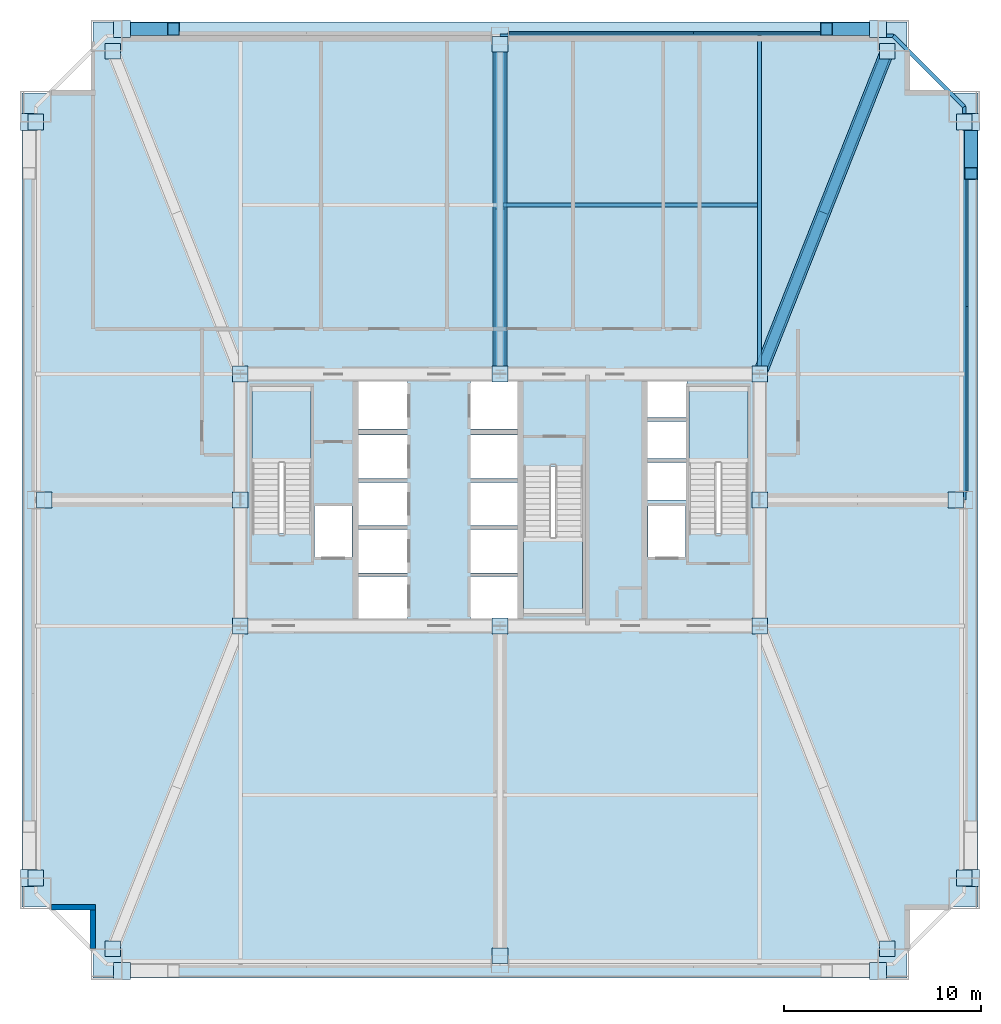
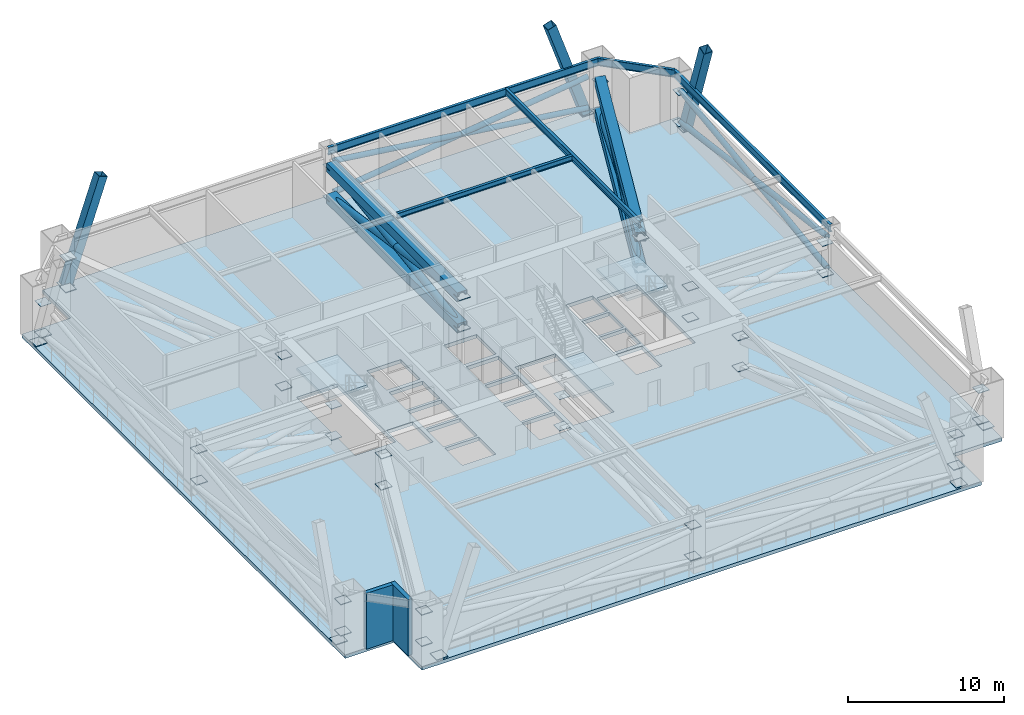
# One storey, part 3 of 10: 48 plates, 15 members, 5 beams, 4 slabs, 2 walls, 3 elements without a shape of their own.
"""IFC4 building model written with IfcOpenShell, lengths in metres."""

from ifc_helpers import new_model, si_unit, direction, frame, frame_2d, origin, origin_2d, place, context, subcontext, project, spatial, polyline, rectangle, hollow_rectangle, hollow_circle, i_section, outline, extrude, source, transform, mapped, material, layer, layer_set, material_profile, profile_set, type_object, element, aggregate, save


model = new_model("IFC4")

# Units and contexts
model_context = context("Model", 3, precision=1e-05, world=origin(), true_north=direction((0.0, 1.0)))
body_context = subcontext(model_context, "Body", "Model", "MODEL_VIEW")
ifc_project = project(units=[si_unit("LENGTHUNIT", "METRE"), si_unit("AREAUNIT", "SQUARE_METRE"), si_unit("VOLUMEUNIT", "CUBIC_METRE"), si_unit("PLANEANGLEUNIT", "RADIAN"), si_unit("MASSUNIT", "GRAM", prefix="KILO"), si_unit("THERMODYNAMICTEMPERATUREUNIT", "KELVIN"), si_unit("POWERUNIT", "WATT")], contexts=[model_context])

# Site, building, storey
site_placement = place(None, origin())
site = spatial("IfcSite", under=ifc_project, at=site_placement, CompositionType="ELEMENT")
building_placement = place(site_placement, origin())
building = spatial("IfcBuilding", under=site, at=building_placement, Name="Yuzanri Waterfront Tower", CompositionType="ELEMENT")
storey_placement = place(building_placement, frame((0.0, 0.0, 129.800048828125)))
storey = spatial("IfcBuildingStorey", under=building, at=storey_placement, Name="L34", CompositionType="ELEMENT", Elevation=129.800048828125)

# Beams
ifc_material_1 = material(Name="Steel Q355B", Category="steel")
ifc_material_profile_1 = material_profile(ifc_material_1, i_section(OverallWidth=0.199951171875, OverallDepth=0.60009765625, WebThickness=0.010986328125, FlangeThickness=0.01708984375, at=origin_2d()), Name="HN 600x200x11x17")
ifc_profile_set_1 = profile_set([ifc_material_profile_1], Name="Steel Q355B")
beam_type_1 = type_object("IfcBeamType", Name="Perimeter Spandrel Q355B HN 600x200", PredefinedType="SPANDREL", material=ifc_profile_set_1)
shared_shape_1 = source(origin(), body_context, "Body", "SweptSolid", [
    extrude(i_section(OverallWidth=0.199951171875, OverallDepth=0.60009765625, WebThickness=0.010986328125, FlangeThickness=0.01708984375, at=origin_2d()), origin(), (0.0, 0.0, 1.0), 5.091064453125),
])
beam_1_placement = place(storey_placement, frame((60.60009765625, 45.800048828125, 4.079833984375), z_axis=(-0.707130757816, 0.707082803744, 0.0), x_axis=(-0.707082803744, -0.707130757816, 0.0)))
element("IfcBeam", 1, at=beam_1_placement, inside=storey, type_object=beam_type_1, Name="L34 Perimeter Spandrel E3-N3", PredefinedType="SPANDREL", context=body_context, shape_type="MappedRepresentation", body=[
    mapped(shared_shape_1, transform((0.0, 0.0, 0.0), scale=1.0)),
])
ifc_material_2 = material(Name="Steel Q355B", Category="steel")
ifc_material_profile_2 = material_profile(ifc_material_2, i_section(OverallWidth=0.199951171875, OverallDepth=0.39990234375, WebThickness=0.008056640625, FlangeThickness=0.012939453125, at=origin_2d()), Name="HN 400x200x8x13")
ifc_profile_set_2 = profile_set([ifc_material_profile_2], Name="Steel Q355B")
beam_type_2 = type_object("IfcBeamType", Name="Floor Joist Q355B HN 400x200", PredefinedType="JOIST", material=ifc_profile_set_2)
shared_shape_2 = source(origin(), body_context, "Body", "SweptSolid", [
    extrude(i_section(OverallWidth=0.199951171875, OverallDepth=0.39990234375, WebThickness=0.008056640625, FlangeThickness=0.012939453125, at=origin_2d()), origin(), (0.0, 0.0, 1.0), 12.9501953125),
])
beam_2_placement = place(storey_placement, frame((37.14990234375, 40.800048828125, 4.179931640625), z_axis=(1.0, 0.0, 0.0), x_axis=(0.0, 1.0, 0.0)))
element("IfcBeam", 2, at=beam_2_placement, inside=storey, type_object=beam_type_2, Name="L34 North Bay Joist E", PredefinedType="JOIST", context=body_context, shape_type="MappedRepresentation", body=[
    mapped(shared_shape_2, transform((0.0, 0.0, 0.0), scale=1.0)),
])
shared_shape_3 = source(origin(), body_context, "Body", "SweptSolid", [
    extrude(i_section(OverallWidth=0.199951171875, OverallDepth=0.60009765625, WebThickness=0.010986328125, FlangeThickness=0.01708984375, at=origin_2d()), origin(), (0.0, 0.0, 1.0), 20.0),
])
for number, where, z_axis, x_axis, name in (
    (3, (60.60009765625, 25.800048828125, 4.079833984375), (0.0, 1.0, 0.0), (-1.0, 0.0, 0.0), "L34 Perimeter Spandrel E2-E3"),
    (4, (57.0, 49.39990234375, 4.079833984375), (-1.0, 0.0, 0.0), (0.0, -1.0, 0.0), "L34 Perimeter Spandrel N3-N2"),
):
    element("IfcBeam", number, at=place(storey_placement, frame(where, z_axis=z_axis, x_axis=x_axis)), inside=storey, type_object=beam_type_1, Name=name, PredefinedType="SPANDREL", context=body_context, shape_type="MappedRepresentation", body=[
        mapped(shared_shape_3, transform((0.0, 0.0, 0.0), scale=1.0)),
    ])
ifc_material_3 = material(Name="Steel Q355B", Category="steel")
ifc_material_profile_3 = material_profile(ifc_material_3, i_section(OverallWidth=0.199951171875, OverallDepth=0.5, WebThickness=0.010009765625, FlangeThickness=0.01611328125, at=origin_2d()), Name="HN 500x200x10x16")
ifc_profile_set_3 = profile_set([ifc_material_profile_3], Name="Steel Q355B")
beam_type_3 = type_object("IfcBeamType", Name="Secondary Floor Beam Q355B HN 500x200", PredefinedType="BEAM", material=ifc_profile_set_3)
shared_shape_4 = source(origin(), body_context, "Body", "SweptSolid", [
    extrude(i_section(OverallWidth=0.199951171875, OverallDepth=0.5, WebThickness=0.010009765625, FlangeThickness=0.01611328125, at=origin_2d()), origin(), (0.0, 0.0, 1.0), 17.199951171875),
])
beam_3_placement = place(storey_placement, frame((50.199951171875, 32.199951171875, 4.1298828125), z_axis=(0.0, 1.0, 0.0), x_axis=(-1.0, 0.0, 0.0)))
element("IfcBeam", 5, at=beam_3_placement, inside=storey, type_object=beam_type_3, Name="L34 North-East Core Line Beam", PredefinedType="BEAM", context=body_context, shape_type="MappedRepresentation", body=[
    mapped(shared_shape_4, transform((0.0, 0.0, 0.0), scale=1.0)),
])

# Members
ifc_material_4 = material(Name="Steel Q420GJC", Category="steel")
ifc_material_profile_4 = material_profile(ifc_material_4, hollow_rectangle(XDim=0.64990234375, YDim=0.64990234375, WallThickness=0.028076171875, at=origin_2d()), Name="RHS 650x650x28")
ifc_profile_set_4 = profile_set([ifc_material_profile_4], Name="Steel Q420GJC")
member_type_1 = type_object("IfcMemberType", Name="Mega Brace Lower Q420GJC RHS 650x650x28", PredefinedType="BRACE", material=ifc_profile_set_4)
shared_shape_5 = source(origin(), body_context, "Body", "SweptSolid", [
    extrude(hollow_rectangle(XDim=0.64990234375, YDim=0.64990234375, WallThickness=0.028076171875, at=origin_2d()), origin(), (0.0, 0.0, 1.0), 8.133544921875),
])
for number, where, z_axis, x_axis, name in (
    (6, (17.780029296875, 49.739990234375, 0.179931640625), (0.32211098158, 0.0, 0.946701914831), (0.0, 1.0, 0.0), "L34-L35 Perimeter Mega-Brace N-L"),
    (7, (56.219970703125, 49.739990234375, 0.179931640625), (-0.32211098158, 0.0, 0.946701914831), (0.0, -1.0, 0.0), "L34-L35 Perimeter Mega-Brace N-R"),
    (8, (60.93994140625, 45.02001953125, 0.179931640625), (0.0, -0.322137883641, 0.946692761102), (1.0, 0.0, 0.0), "L34-L35 Perimeter Mega-Brace E-R"),
):
    element("IfcMember", number, at=place(storey_placement, frame(where, z_axis=z_axis, x_axis=x_axis)), inside=storey, type_object=member_type_1, Name=name, PredefinedType="BRACE", context=body_context, shape_type="MappedRepresentation", body=[
        mapped(shared_shape_5, transform((0.0, 0.0, 0.0), scale=1.0)),
    ])
ifc_material_5 = material(Name="Steel Q420GJC", Category="steel")
ifc_material_profile_5 = material_profile(ifc_material_5, hollow_rectangle(XDim=0.699951171875, YDim=0.699951171875, WallThickness=0.031982421875, at=origin_2d()), Name="RHS 700x700x32")
ifc_profile_set_5 = profile_set([ifc_material_profile_5], Name="Steel Q420GJC")
member_type_2 = type_object("IfcMemberType", Name="Outrigger Chord Q420GJC RHS 700x700x32", PredefinedType="CHORD", material=ifc_profile_set_5)
shared_shape_6 = source(origin(), body_context, "Body", "SweptSolid", [
    extrude(hollow_rectangle(XDim=0.699951171875, YDim=0.699951171875, WallThickness=0.031982421875, at=origin_2d()), origin(), (0.0, 0.0, 1.0), 16.76513671875),
])
for number, where, z_axis, x_axis, name in (
    (9, (37.0, 32.199951171875, 0.719970703125), (0.0, 1.0, 0.0), (-1.0, 0.0, 0.0), "L34 Outrigger Bottom Chord N2"),
    (10, (37.0, 32.199951171875, 3.159912109375), (0.0, 1.0, 0.0), (-1.0, 0.0, 0.0), "L34 Outrigger Top Chord N2"),
):
    element("IfcMember", number, at=place(storey_placement, frame(where, z_axis=z_axis, x_axis=x_axis)), inside=storey, type_object=member_type_2, Name=name, PredefinedType="CHORD", context=body_context, shape_type="MappedRepresentation", body=[
        mapped(shared_shape_6, transform((0.0, 0.0, 0.0), scale=1.0)),
    ])
ifc_material_6 = material(Name="Steel Q420GJC", Category="steel")
ifc_material_profile_6 = material_profile(ifc_material_6, hollow_circle(Radius=0.25390625, WallThickness=0.02001953125, at=origin_2d()), Name="CHS 508x20")
ifc_profile_set_6 = profile_set([ifc_material_profile_6], Name="Steel Q420GJC")
member_type_3 = type_object("IfcMemberType", Name="Outrigger Diagonal Q420GJC CHS 508x20", PredefinedType="BRACE", material=ifc_profile_set_6)
shared_shape_7 = source(origin(), body_context, "Body", "SweptSolid", [
    extrude(hollow_circle(Radius=0.25390625, WallThickness=0.02001953125, at=origin_2d()), origin(), (0.0, 0.0, 1.0), 16.941650390625),
])
for number, where, z_axis, x_axis, name in (
    (11, (37.0, 32.199951171875, 0.719970703125), (0.0, 0.989574866567, 0.144019385707), (-1.0, 0.0, 0.0), "L34 Outrigger Diagonal 1 N2"),
    (12, (37.0, 32.199951171875, 3.159912109375), (0.0, 0.989574866567, -0.144019385707), (-1.0, 0.0, 0.0), "L34 Outrigger Diagonal 2 N2"),
):
    element("IfcMember", number, at=place(storey_placement, frame(where, z_axis=z_axis, x_axis=x_axis)), inside=storey, type_object=member_type_3, Name=name, PredefinedType="BRACE", context=body_context, shape_type="MappedRepresentation", body=[
        mapped(shared_shape_7, transform((0.0, 0.0, 0.0), scale=1.0)),
    ])
shared_shape_8 = source(origin(), body_context, "Body", "SweptSolid", [
    extrude(hollow_rectangle(XDim=0.699951171875, YDim=0.699951171875, WallThickness=0.031982421875, at=origin_2d()), origin(), (0.0, 0.0, 1.0), 17.6513671875),
])
for number, where, z_axis, x_axis, name in (
    (13, (50.199951171875, 32.199951171875, 0.719970703125), (0.36766278386, 0.929959180483, 0.0), (-0.929959180483, 0.36766278386, 0.0), "L34 Outrigger Bottom Chord N3"),
    (14, (50.199951171875, 32.199951171875, 3.159912109375), (0.36766278386, 0.929959180483, 0.0), (-0.929959180483, 0.36766278386, 0.0), "L34 Outrigger Top Chord N3"),
):
    element("IfcMember", number, at=place(storey_placement, frame(where, z_axis=z_axis, x_axis=x_axis)), inside=storey, type_object=member_type_2, Name=name, PredefinedType="CHORD", context=body_context, shape_type="MappedRepresentation", body=[
        mapped(shared_shape_8, transform((0.0, 0.0, 0.0), scale=1.0)),
    ])
shared_shape_9 = source(origin(), body_context, "Body", "SweptSolid", [
    extrude(hollow_circle(Radius=0.25390625, WallThickness=0.02001953125, at=origin_2d()), origin(), (0.0, 0.0, 1.0), 17.819091796875),
])
for number, where, z_axis, x_axis, name in (
    (15, (50.199951171875, 32.199951171875, 0.719970703125), (0.364199783339, 0.921199933511, 0.13692771931), (-0.929959180483, 0.36766278386, 0.0), "L34 Outrigger Diagonal 1 N3"),
    (16, (50.199951171875, 32.199951171875, 3.159912109375), (0.364199783339, 0.921199933511, -0.13692771931), (-0.929959180483, 0.36766278386, 0.0), "L34 Outrigger Diagonal 2 N3"),
):
    element("IfcMember", number, at=place(storey_placement, frame(where, z_axis=z_axis, x_axis=x_axis)), inside=storey, type_object=member_type_3, Name=name, PredefinedType="BRACE", context=body_context, shape_type="MappedRepresentation", body=[
        mapped(shared_shape_9, transform((0.0, 0.0, 0.0), scale=1.0)),
    ])
ifc_material_7 = material(Name="Steel Q390GJC", Category="steel")
ifc_material_profile_7 = material_profile(ifc_material_7, hollow_circle(Radius=0.202880859375, WallThickness=0.01611328125, at=origin_2d()), Name="CHS 406x16")
ifc_profile_set_7 = profile_set([ifc_material_profile_7], Name="Steel Q390GJC")
member_type_4 = type_object("IfcMemberType", Name="Belt Truss Strut Q390GJC CHS 406x16", PredefinedType="STRUT", material=ifc_profile_set_7)
shared_shape_10 = source(origin(), body_context, "Body", "SweptSolid", [
    extrude(hollow_circle(Radius=0.202880859375, WallThickness=0.01611328125, at=origin_2d()), origin(), (0.0, 0.0, 1.0), 18.93798828125),
])
for number, where, z_axis, x_axis, name in (
    (17, (37.43505859375, 49.39990234375, 0.719970703125), (0.991665486339, 0.0, 0.128839292155), (0.0, 1.0, 0.0), "L34 Belt Truss Diagonal N2-N3 A"),
    (18, (37.43505859375, 49.39990234375, 3.159912109375), (0.991665486339, 0.0, -0.128839292155), (0.0, 1.0, 0.0), "L34 Belt Truss Diagonal N2-N3 B"),
):
    element("IfcMember", number, at=place(storey_placement, frame(where, z_axis=z_axis, x_axis=x_axis)), inside=storey, type_object=member_type_4, Name=name, PredefinedType="STRUT", context=body_context, shape_type="MappedRepresentation", body=[
        mapped(shared_shape_10, transform((0.0, 0.0, 0.0), scale=1.0)),
    ])
shared_shape_11 = source(origin(), body_context, "Body", "SweptSolid", [
    extrude(hollow_circle(Radius=0.202880859375, WallThickness=0.01611328125, at=origin_2d()), origin(), (0.0, 0.0, 1.0), 18.937744140625),
])
for number, where, z_axis, x_axis, name in (
    (19, (60.60009765625, 26.235107421875, 0.719970703125), (0.0, 0.991665272339, 0.128840939286), (-1.0, 0.0, 0.0), "L34 Belt Truss Diagonal E2-E3 A"),
    (20, (60.60009765625, 26.235107421875, 3.159912109375), (0.0, 0.991665272339, -0.128840939286), (-1.0, 0.0, 0.0), "L34 Belt Truss Diagonal E2-E3 B"),
):
    element("IfcMember", number, at=place(storey_placement, frame(where, z_axis=z_axis, x_axis=x_axis)), inside=storey, type_object=member_type_4, Name=name, PredefinedType="STRUT", context=body_context, shape_type="MappedRepresentation", body=[
        mapped(shared_shape_11, transform((0.0, 0.0, 0.0), scale=1.0)),
    ])

# Stair, slab
ifc_material_8 = material(Name="Concrete C40", Category="concrete")
stair_type = type_object("IfcStairType", Name="Concrete C40 Core Dogleg Exit Stair", PredefinedType="HALF_TURN_STAIR", material=ifc_material_8)
stair_1_placement = place(storey_placement, origin())
stair_1 = element("IfcStair", 21, at=stair_1_placement, inside=storey, type_object=stair_type, Name="L34 Smoke-Proof Core Stair ST-01", PredefinedType="HALF_TURN_STAIR")
ifc_material_9 = material(Name="Concrete C40", Category="concrete")
ifc_layer_1 = layer(ifc_material_9, 0.179931640625)
ifc_layer_set_1 = layer_set([ifc_layer_1], Name="Concrete C40")
slab_type_1 = type_object("IfcSlabType", Name="Concrete C40 Stair Half-Landing Slab 180", PredefinedType="LANDING", material=ifc_layer_set_1)
slab_1_placement = place(storey_placement, frame((0.0, 0.0, 2.099853515625)))
slab_1 = element("IfcSlab", 22, at=slab_1_placement, type_object=slab_type_1, Name="ST-01 landing 1", PredefinedType="LANDING", context=body_context, shape_type="SweptSolid", body=[
    extrude(outline(polyline([(27.39990234375, 27.679931640625), (27.39990234375, 31.580078125), (24.39990234375, 31.580078125), (24.39990234375, 27.679931640625), (27.39990234375, 27.679931640625)])), origin(), (0.0, 0.0, 1.0), 0.2001953125),
])
aggregate(stair_1, [slab_1])

stair_2_placement = place(storey_placement, origin())
stair_2 = element("IfcStair", 23, at=stair_2_placement, inside=storey, type_object=stair_type, Name="L34 Smoke-Proof Core Stair ST-02", PredefinedType="HALF_TURN_STAIR")
slab_2_placement = place(storey_placement, frame((0.0, 0.0, 2.099853515625)))
slab_2 = element("IfcSlab", 24, at=slab_2_placement, type_object=slab_type_1, Name="ST-02 landing 1", PredefinedType="LANDING", context=body_context, shape_type="SweptSolid", body=[
    extrude(outline(polyline([(49.60009765625, 27.679931640625), (49.60009765625, 31.580078125), (46.60009765625, 31.580078125), (46.60009765625, 27.679931640625), (49.60009765625, 27.679931640625)])), origin(), (0.0, 0.0, 1.0), 0.2001953125),
])
aggregate(stair_2, [slab_2])

stair_3_placement = place(storey_placement, origin())
stair_3 = element("IfcStair", 25, at=stair_3_placement, inside=storey, type_object=stair_type, Name="L34 Smoke-Proof Core Stair ST-03", PredefinedType="HALF_TURN_STAIR")
slab_3_placement = place(storey_placement, frame((0.0, 0.0, 2.099853515625)))
slab_3 = element("IfcSlab", 26, at=slab_3_placement, type_object=slab_type_1, Name="ST-03 landing 1", PredefinedType="LANDING", context=body_context, shape_type="SweptSolid", body=[
    extrude(outline(polyline([(38.199951171875, 23.919921875), (38.199951171875, 20.02001953125), (41.199951171875, 20.02001953125), (41.199951171875, 23.919921875), (38.199951171875, 23.919921875)])), origin(), (0.0, 0.0, 1.0), 0.2001953125),
])
aggregate(stair_3, [slab_3])

# Slab
ifc_material_10 = material(Name="Concrete C45", Category="concrete")
ifc_layer_2 = layer(ifc_material_10, 0.280029296875)
ifc_layer_set_2 = layer_set([ifc_layer_2], Name="Concrete C45")
slab_type_2 = type_object("IfcSlabType", Name="Concrete C45 Podium and Refuge Structural Floor Slab 280", PredefinedType="FLOOR", material=ifc_layer_set_2)
slab_4_placement = place(storey_placement, frame((0.0, 0.0, -0.280029296875)))
element("IfcSlab", 27, at=slab_4_placement, inside=storey, type_object=slab_type_2, Name="L34 Main Structural Floor Slab", PredefinedType="FLOOR", context=body_context, shape_type="SweptSolid", body=[
    extrude(outline(polyline([(16.300048828125, 1.5), (57.699951171875, 1.5), (57.699951171875, 5.10009765625), (61.300048828125, 5.10009765625), (61.300048828125, 46.5), (57.699951171875, 46.5), (57.699951171875, 50.10009765625), (16.300048828125, 50.10009765625), (16.300048828125, 46.5), (12.699951171875, 46.5), (12.699951171875, 5.10009765625), (16.300048828125, 5.10009765625), (16.300048828125, 1.5)]), holes=[polyline([(27.39990234375, 24.10009765625), (27.39990234375, 31.580078125), (24.39990234375, 31.580078125), (24.39990234375, 24.10009765625), (27.39990234375, 24.10009765625)]), polyline([(49.60009765625, 24.10009765625), (49.60009765625, 31.580078125), (46.60009765625, 31.580078125), (46.60009765625, 24.10009765625), (49.60009765625, 24.10009765625)]), polyline([(38.199951171875, 27.5), (38.199951171875, 20.02001953125), (41.199951171875, 20.02001953125), (41.199951171875, 27.5), (38.199951171875, 27.5)]), polyline([(27.56005859375, 22.89990234375), (29.47998046875, 22.89990234375), (29.47998046875, 25.5), (27.56005859375, 25.5), (27.56005859375, 22.89990234375)]), polyline([(44.52001953125, 22.89990234375), (46.43994140625, 22.89990234375), (46.43994140625, 25.5), (44.52001953125, 25.5), (44.52001953125, 22.89990234375)]), polyline([(29.800048828125, 19.699951171875), (32.300048828125, 19.699951171875), (32.300048828125, 21.89990234375), (29.800048828125, 21.89990234375), (29.800048828125, 19.699951171875)]), polyline([(29.800048828125, 22.10009765625), (32.300048828125, 22.10009765625), (32.300048828125, 24.300048828125), (29.800048828125, 24.300048828125), (29.800048828125, 22.10009765625)]), polyline([(29.800048828125, 24.5), (32.300048828125, 24.5), (32.300048828125, 26.699951171875), (29.800048828125, 26.699951171875), (29.800048828125, 24.5)]), polyline([(29.800048828125, 26.89990234375), (32.300048828125, 26.89990234375), (32.300048828125, 29.10009765625), (29.800048828125, 29.10009765625), (29.800048828125, 26.89990234375)]), polyline([(29.800048828125, 29.39990234375), (32.300048828125, 29.39990234375), (32.300048828125, 31.89990234375), (29.800048828125, 31.89990234375), (29.800048828125, 29.39990234375)]), polyline([(35.5, 19.699951171875), (37.89990234375, 19.699951171875), (37.89990234375, 21.89990234375), (35.5, 21.89990234375), (35.5, 19.699951171875)]), polyline([(35.5, 22.10009765625), (37.89990234375, 22.10009765625), (37.89990234375, 24.300048828125), (35.5, 24.300048828125), (35.5, 22.10009765625)]), polyline([(35.5, 24.5), (37.89990234375, 24.5), (37.89990234375, 26.699951171875), (35.5, 26.699951171875), (35.5, 24.5)]), polyline([(35.5, 26.89990234375), (37.89990234375, 26.89990234375), (37.89990234375, 29.10009765625), (35.5, 29.10009765625), (35.5, 26.89990234375)]), polyline([(35.5, 29.39990234375), (37.89990234375, 29.39990234375), (37.89990234375, 31.89990234375), (35.5, 31.89990234375), (35.5, 29.39990234375)]), polyline([(44.5, 25.800048828125), (46.5, 25.800048828125), (46.5, 27.699951171875), (44.5, 27.699951171875), (44.5, 25.800048828125)]), polyline([(44.5, 27.89990234375), (46.5, 27.89990234375), (46.5, 29.800048828125), (44.5, 29.800048828125), (44.5, 27.89990234375)]), polyline([(44.5, 30.0), (46.5, 30.0), (46.5, 31.89990234375), (44.5, 31.89990234375), (44.5, 30.0)])]), origin(), (0.0, 0.0, 1.0), 0.280029296875),
])

# Plates
ifc_material_11 = material(Name="Steel Q420GJC", Category="steel")
ifc_layer_3 = layer(ifc_material_11, 0.0400390625)
ifc_layer_set_3 = layer_set([ifc_layer_3], Name="Steel Q420GJC")
plate_type_1 = type_object("IfcPlateType", Name="Steel Q420GJC Mega-Brace Gusset and End-Cap Plate 40", PredefinedType="SHEET", material=ifc_layer_set_3)
shared_shape_12 = source(origin(), body_context, "Body", "SweptSolid", [
    extrude(rectangle(XDim=0.85009765625, YDim=0.85009765625, at=origin_2d()), origin(), (0.0, 0.0, 1.0), 0.0400390625),
])
for number, where, z_axis, x_axis, name in (
    (28, (17.780029296875, 1.860107421875, 0.159912109375), (0.0, 0.0, 1.0), (1.0, 0.0, 0.0), "L34 Mega-Brace Foot Cap Plate S-L"),
    (29, (56.219970703125, 1.860107421875, 0.159912109375), (0.0, 0.0, 1.0), (1.0, 0.0, 0.0), "L34 Mega-Brace Foot Cap Plate S-R"),
    (30, (17.780029296875, 49.739990234375, 0.159912109375), (0.0, 0.0, 1.0), (1.0, 0.0, 0.0), "L34 Mega-Brace Foot Cap Plate N-L"),
    (31, (56.219970703125, 49.739990234375, 0.159912109375), (0.0, 0.0, 1.0), (1.0, 0.0, 0.0), "L34 Mega-Brace Foot Cap Plate N-R"),
    (32, (13.06005859375, 6.580078125, 0.159912109375), (0.0, 0.0, 1.0), (1.0, 0.0, 0.0), "L34 Mega-Brace Foot Cap Plate W-L"),
    (33, (13.06005859375, 45.02001953125, 0.159912109375), (0.0, 0.0, 1.0), (1.0, 0.0, 0.0), "L34 Mega-Brace Foot Cap Plate W-R"),
    (34, (60.93994140625, 6.580078125, 0.159912109375), (0.0, 0.0, 1.0), (1.0, 0.0, 0.0), "L34 Mega-Brace Foot Cap Plate E-L"),
    (35, (60.93994140625, 45.02001953125, 0.159912109375), (0.0, 0.0, 1.0), (1.0, 0.0, 0.0), "L34 Mega-Brace Foot Cap Plate E-R"),
):
    element("IfcPlate", number, at=place(storey_placement, frame(where, z_axis=z_axis, x_axis=x_axis)), inside=storey, type_object=plate_type_1, Name=name, PredefinedType="SHEET", context=body_context, shape_type="MappedRepresentation", body=[
        mapped(shared_shape_12, transform((0.0, 0.0, 0.0), scale=1.0)),
    ])
ifc_material_12 = material(Name="Steel Q420GJC", Category="steel")
ifc_layer_4 = layer(ifc_material_12, 0.031982421875)
ifc_layer_set_4 = layer_set([ifc_layer_4], Name="Steel Q420GJC")
plate_type_2 = type_object("IfcPlateType", Name="Steel Q420GJC Outrigger-to-Core Embedment Cap Plate 32", PredefinedType="SHEET", material=ifc_layer_set_4)
shared_shape_13 = source(origin(), body_context, "Body", "SweptSolid", [
    extrude(rectangle(XDim=0.800048828125, YDim=0.800048828125, at=origin_2d()), origin(), (0.0, 0.0, 1.0), 0.031982421875),
])
for number, where, z_axis, x_axis, name in (
    (36, (37.0, 19.39990234375, 0.7041015625), (0.0, 0.0, 1.0), (1.0, 0.0, 0.0), "L34 Outrigger Core Lower Cap S2"),
    (37, (37.0, 19.39990234375, 3.14404296875), (0.0, 0.0, 1.0), (1.0, 0.0, 0.0), "L34 Outrigger Core Upper Cap S2"),
    (38, (37.0, 32.199951171875, 0.7041015625), (0.0, 0.0, 1.0), (1.0, 0.0, 0.0), "L34 Outrigger Core Lower Cap N2"),
    (39, (37.0, 32.199951171875, 3.14404296875), (0.0, 0.0, 1.0), (1.0, 0.0, 0.0), "L34 Outrigger Core Upper Cap N2"),
    (40, (23.800048828125, 25.800048828125, 0.7041015625), (0.0, 0.0, 1.0), (1.0, 0.0, 0.0), "L34 Outrigger Core Lower Cap W2"),
    (41, (23.800048828125, 25.800048828125, 3.14404296875), (0.0, 0.0, 1.0), (1.0, 0.0, 0.0), "L34 Outrigger Core Upper Cap W2"),
    (42, (50.199951171875, 25.800048828125, 0.7041015625), (0.0, 0.0, 1.0), (1.0, 0.0, 0.0), "L34 Outrigger Core Lower Cap E2"),
    (43, (50.199951171875, 25.800048828125, 3.14404296875), (0.0, 0.0, 1.0), (1.0, 0.0, 0.0), "L34 Outrigger Core Upper Cap E2"),
    (44, (23.800048828125, 19.39990234375, 0.7041015625), (0.0, 0.0, 1.0), (1.0, 0.0, 0.0), "L34 Outrigger Core Lower Cap S1"),
    (45, (23.800048828125, 19.39990234375, 3.14404296875), (0.0, 0.0, 1.0), (1.0, 0.0, 0.0), "L34 Outrigger Core Upper Cap S1"),
    (46, (50.199951171875, 19.39990234375, 0.7041015625), (0.0, 0.0, 1.0), (1.0, 0.0, 0.0), "L34 Outrigger Core Lower Cap S3"),
    (47, (50.199951171875, 19.39990234375, 3.14404296875), (0.0, 0.0, 1.0), (1.0, 0.0, 0.0), "L34 Outrigger Core Upper Cap S3"),
    (48, (23.800048828125, 32.199951171875, 0.7041015625), (0.0, 0.0, 1.0), (1.0, 0.0, 0.0), "L34 Outrigger Core Lower Cap N1"),
    (49, (23.800048828125, 32.199951171875, 3.14404296875), (0.0, 0.0, 1.0), (1.0, 0.0, 0.0), "L34 Outrigger Core Upper Cap N1"),
    (50, (50.199951171875, 32.199951171875, 0.7041015625), (0.0, 0.0, 1.0), (1.0, 0.0, 0.0), "L34 Outrigger Core Lower Cap N3"),
    (51, (50.199951171875, 32.199951171875, 3.14404296875), (0.0, 0.0, 1.0), (1.0, 0.0, 0.0), "L34 Outrigger Core Upper Cap N3"),
    (52, (60.60009765625, 6.5849609375, 0.7041015625), (0.0, 0.0, 1.0), (1.0, 0.0, 0.0), "L34 Perimeter Truss Node Lower Cap E1"),
    (53, (60.60009765625, 6.5849609375, 3.14404296875), (0.0, 0.0, 1.0), (1.0, 0.0, 0.0), "L34 Perimeter Truss Node Upper Cap E1"),
    (54, (60.1650390625, 25.800048828125, 0.7041015625), (0.0, 0.0, 1.0), (1.0, 0.0, 0.0), "L34 Perimeter Truss Node Lower Cap E2"),
    (55, (60.1650390625, 25.800048828125, 3.14404296875), (0.0, 0.0, 1.0), (1.0, 0.0, 0.0), "L34 Perimeter Truss Node Upper Cap E2"),
    (56, (60.60009765625, 45.014892578125, 0.7041015625), (0.0, 0.0, 1.0), (1.0, 0.0, 0.0), "L34 Perimeter Truss Node Lower Cap E3"),
    (57, (60.60009765625, 45.014892578125, 3.14404296875), (0.0, 0.0, 1.0), (1.0, 0.0, 0.0), "L34 Perimeter Truss Node Upper Cap E3"),
    (58, (17.310302734375, 48.614990234375, 0.7041015625), (0.0, 0.0, 1.0), (1.0, 0.0, 0.0), "L34 Perimeter Truss Node Lower Cap N1"),
    (59, (17.310302734375, 48.614990234375, 3.14404296875), (0.0, 0.0, 1.0), (1.0, 0.0, 0.0), "L34 Perimeter Truss Node Upper Cap N1"),
    (60, (37.0, 48.965087890625, 0.7041015625), (0.0, 0.0, 1.0), (1.0, 0.0, 0.0), "L34 Perimeter Truss Node Lower Cap N2"),
    (61, (37.0, 48.965087890625, 3.14404296875), (0.0, 0.0, 1.0), (1.0, 0.0, 0.0), "L34 Perimeter Truss Node Upper Cap N2"),
    (62, (56.689697265625, 48.614990234375, 0.7041015625), (0.0, 0.0, 1.0), (1.0, 0.0, 0.0), "L34 Perimeter Truss Node Lower Cap N3"),
    (63, (56.689697265625, 48.614990234375, 3.14404296875), (0.0, 0.0, 1.0), (1.0, 0.0, 0.0), "L34 Perimeter Truss Node Upper Cap N3"),
    (64, (17.310302734375, 2.985107421875, 0.7041015625), (0.0, 0.0, 1.0), (1.0, 0.0, 0.0), "L34 Perimeter Truss Node Lower Cap S1"),
    (65, (17.310302734375, 2.985107421875, 3.14404296875), (0.0, 0.0, 1.0), (1.0, 0.0, 0.0), "L34 Perimeter Truss Node Upper Cap S1"),
    (66, (37.0, 2.635009765625, 0.7041015625), (0.0, 0.0, 1.0), (1.0, 0.0, 0.0), "L34 Perimeter Truss Node Lower Cap S2"),
    (67, (37.0, 2.635009765625, 3.14404296875), (0.0, 0.0, 1.0), (1.0, 0.0, 0.0), "L34 Perimeter Truss Node Upper Cap S2"),
    (68, (56.689697265625, 2.985107421875, 0.7041015625), (0.0, 0.0, 1.0), (1.0, 0.0, 0.0), "L34 Perimeter Truss Node Lower Cap S3"),
    (69, (56.689697265625, 2.985107421875, 3.14404296875), (0.0, 0.0, 1.0), (1.0, 0.0, 0.0), "L34 Perimeter Truss Node Upper Cap S3"),
    (70, (13.39990234375, 6.5849609375, 0.7041015625), (0.0, 0.0, 1.0), (1.0, 0.0, 0.0), "L34 Perimeter Truss Node Lower Cap W1"),
    (71, (13.39990234375, 6.5849609375, 3.14404296875), (0.0, 0.0, 1.0), (1.0, 0.0, 0.0), "L34 Perimeter Truss Node Upper Cap W1"),
    (72, (13.8349609375, 25.800048828125, 0.7041015625), (0.0, 0.0, 1.0), (1.0, 0.0, 0.0), "L34 Perimeter Truss Node Lower Cap W2"),
    (73, (13.8349609375, 25.800048828125, 3.14404296875), (0.0, 0.0, 1.0), (1.0, 0.0, 0.0), "L34 Perimeter Truss Node Upper Cap W2"),
    (74, (13.39990234375, 45.014892578125, 0.7041015625), (0.0, 0.0, 1.0), (1.0, 0.0, 0.0), "L34 Perimeter Truss Node Lower Cap W3"),
    (75, (13.39990234375, 45.014892578125, 3.14404296875), (0.0, 0.0, 1.0), (1.0, 0.0, 0.0), "L34 Perimeter Truss Node Upper Cap W3"),
):
    element("IfcPlate", number, at=place(storey_placement, frame(where, z_axis=z_axis, x_axis=x_axis)), inside=storey, type_object=plate_type_2, Name=name, PredefinedType="SHEET", context=body_context, shape_type="MappedRepresentation", body=[
        mapped(shared_shape_13, transform((0.0, 0.0, 0.0), scale=1.0)),
    ])

# Walls
ifc_material_13 = material(Name="Honed Chongqing Dark Basalt Stone", Category="masonry")
ifc_layer_5 = layer(ifc_material_13, 0.300048828125)
ifc_layer_set_5 = layer_set([ifc_layer_5], Name="Honed Chongqing Dark Basalt Stone")
wall_type = type_object("IfcWallType", Name="Bronze Rainscreen Insulated Spandrel Portal Wall 300", PredefinedType="SOLIDWALL", material=ifc_layer_set_5)
shared_shape_14 = source(origin(), body_context, "Body", "SweptSolid", [
    extrude(rectangle(XDim=2.25, YDim=0.300048828125, at=frame_2d((1.125, 0.0))), origin(), (0.0, 0.0, 1.0), 4.3798828125),
])
for number, where, z_axis, x_axis, name in (
    (76, (14.199951171875, 5.10009765625, 0.0), (0.0, 0.0, 1.0), (1.0, 0.0, 0.0), "L34 Notched Corner Masonry Wall SW-X"),
    (77, (16.300048828125, 5.25, 0.0), (0.0, 0.0, 1.0), (0.0, -1.0, 0.0), "L34 Notched Corner Masonry Wall SW-Y"),
):
    element("IfcWall", number, at=place(storey_placement, frame(where, z_axis=z_axis, x_axis=x_axis)), inside=storey, type_object=wall_type, Name=name, PredefinedType="SOLIDWALL", context=body_context, shape_type="MappedRepresentation", body=[
        mapped(shared_shape_14, transform((0.0, 0.0, 0.0), scale=1.0)),
    ])

save(model, "model.ifc")
